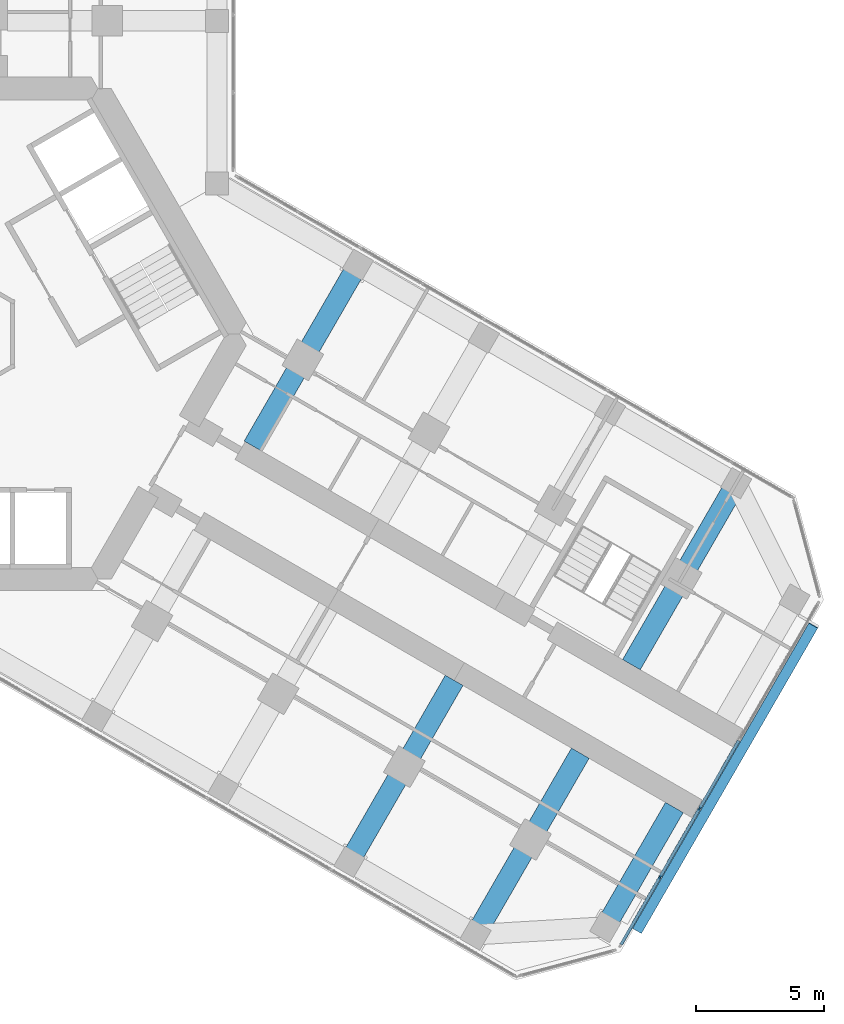
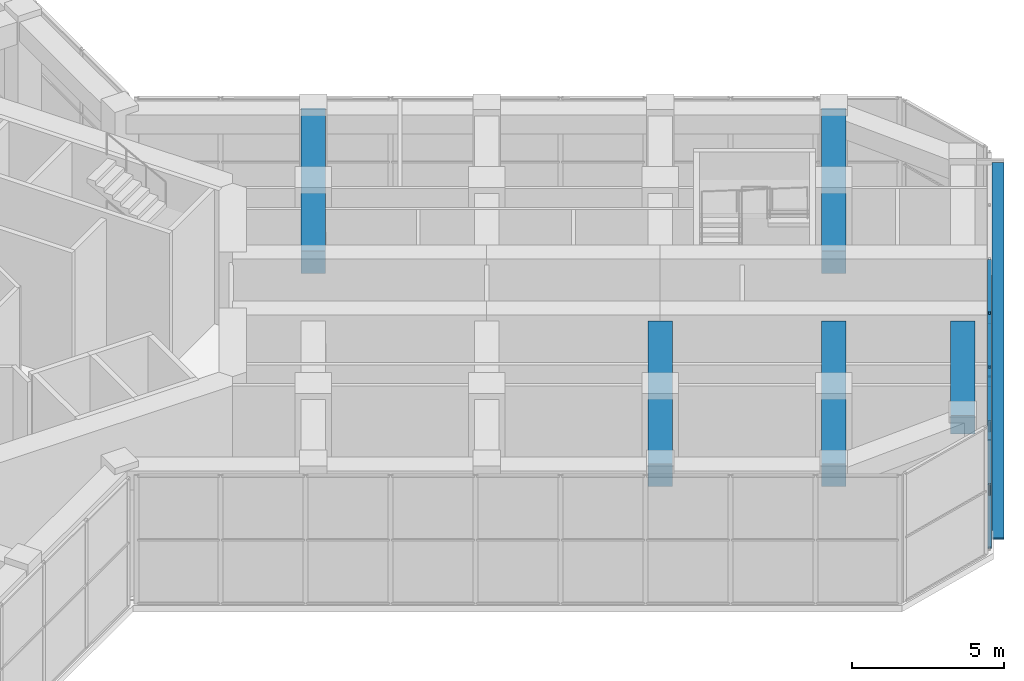
# One storey, part 6 of 20: 12 members, 5 beams, 1 element without a shape of its own.
"""IFC4 building model written with IfcOpenShell, lengths in metres."""

from ifc_helpers import new_model, si_unit, direction, frame, origin, origin_2d, place, context, subcontext, project, spatial, rectangle, extrude, material, material_profile, profile_set, type_object, element, aggregate, save


model = new_model("IFC4")

# Units and contexts
model_context = context("Model", 3, precision=1e-05, world=origin(), true_north=direction((0.0, 1.0)))
body_context = subcontext(model_context, "Body", "Model", "MODEL_VIEW")
ifc_project = project(units=[si_unit("LENGTHUNIT", "METRE"), si_unit("AREAUNIT", "SQUARE_METRE"), si_unit("VOLUMEUNIT", "CUBIC_METRE"), si_unit("PLANEANGLEUNIT", "RADIAN"), si_unit("MASSUNIT", "GRAM", prefix="KILO")], contexts=[model_context])

# Site, building, storey
site_placement = place(None, origin())
site = spatial("IfcSite", under=ifc_project, at=site_placement, CompositionType="ELEMENT")
building_placement = place(site_placement, origin())
building = spatial("IfcBuilding", under=site, at=building_placement, Name="Kosmar Iwan School Tower", CompositionType="ELEMENT")
storey_placement = place(building_placement, frame((0.0, 0.0, 152.60009765625)))
storey = spatial("IfcBuildingStorey", under=building, at=storey_placement, Name="L38", CompositionType="ELEMENT", Elevation=152.60009765625)

# Member
ifc_material_1 = material(Name="Black anodised aluminium", Category="aluminium")
ifc_material_profile_1 = material_profile(ifc_material_1, rectangle(XDim=0.10009765625, YDim=0.39990234375, at=origin_2d()), Name="FIN 100x400")
ifc_profile_set_1 = profile_set([ifc_material_profile_1], Name="Black anodised aluminium")
member_type_1 = type_object("IfcMemberType", Name="Diagonal fin 100x400", PredefinedType="USERDEFINED", material=ifc_profile_set_1)
member_1_placement = place(storey_placement, frame((26.645263671875, -23.34912109375, -0.150146484375), z_axis=(0.465597921651, 0.806454159817, 0.364486300797), x_axis=(-0.182240624432, -0.315655854175, 0.931208750244)))
element("IfcMember", 1, at=member_1_placement, inside=storey, type_object=member_type_1, Name="Diagonal fin L38-F03", ObjectType="FIN", PredefinedType="USERDEFINED", context=body_context, shape_type="SweptSolid", body=[
    extrude(rectangle(XDim=0.10009765625, YDim=0.39990234375, at=origin_2d()), origin(), (0.0, 0.0, 1.0), 14.815673828125),
])

# Curtain wall, members
ifc_material_2 = material(Name="Dark glass in black aluminium frame", Category="aluminium")
curtain_wall_type = type_object("IfcCurtainWallType", Name="Tower curtain wall dark glass", PredefinedType="USERDEFINED", material=ifc_material_2)
curtain_wall_placement = place(storey_placement, origin())
curtain_wall = element("IfcCurtainWall", 2, at=curtain_wall_placement, inside=storey, type_object=curtain_wall_type, Name="Curtain wall L38-F03", ObjectType="UNITISED CURTAIN WALL", PredefinedType="USERDEFINED")
ifc_material_3 = material(Name="Black anodised aluminium", Category="aluminium")
ifc_material_profile_2 = material_profile(ifc_material_3, rectangle(XDim=0.06005859375, YDim=0.159912109375, at=origin_2d()), Name="MULLION 60x160")
ifc_profile_set_2 = profile_set([ifc_material_profile_2], Name="Black anodised aluminium")
member_type_2 = type_object("IfcMemberType", Name="Mullion 60x160", PredefinedType="MULLION", material=ifc_profile_set_2)
member_2_placement = place(storey_placement, frame((27.53173828125, -21.263671875, 0.0), z_axis=(0.0, 0.0, 1.0), x_axis=(-0.866025405329, 0.499999997325, 0.0)))
member_2 = element("IfcMember", 3, at=member_2_placement, type_object=member_type_2, Name="CW1 mullion 2", PredefinedType="MULLION", context=body_context, shape_type="SweptSolid", body=[
    extrude(rectangle(XDim=0.06005859375, YDim=0.159912109375, at=origin_2d()), origin(), (0.0, 0.0, 1.0), 5.14990234375),
])
member_3_placement = place(storey_placement, frame((29.081298828125, -18.57958984375, 0.0), z_axis=(0.0, 0.0, 1.0), x_axis=(-0.866025405329, 0.499999997325, 0.0)))
member_3 = element("IfcMember", 4, at=member_3_placement, type_object=member_type_2, Name="CW1 mullion 3", PredefinedType="MULLION", context=body_context, shape_type="SweptSolid", body=[
    extrude(rectangle(XDim=0.06005859375, YDim=0.159912109375, at=origin_2d()), origin(), (0.0, 0.0, 1.0), 5.14990234375),
])

# Beams
ifc_material_4 = material(Name="Concrete C50/60", Category="concrete")
ifc_material_profile_3 = material_profile(ifc_material_4, rectangle(XDim=0.800048828125, YDim=0.75, at=origin_2d()), Name="RC 800x750")
ifc_profile_set_3 = profile_set([ifc_material_profile_3], Name="Concrete C50/60")
beam_type_1 = type_object("IfcBeamType", Name="RC tip beam 800x750", PredefinedType="BEAM", material=ifc_profile_set_3)
beam_placement = place(storey_placement, frame((25.3984375, -23.20849609375, 4.77490234375), z_axis=(0.499995103361, 0.866028230842, 0.0), x_axis=(-0.866028230842, 0.499995103361, 0.0)))
element("IfcBeam", 5, at=beam_placement, inside=storey, type_object=beam_type_1, Name="Tip beam CR to corridor wall", PredefinedType="BEAM", context=body_context, shape_type="SweptSolid", body=[
    extrude(rectangle(XDim=0.800048828125, YDim=0.75, at=origin_2d()), origin(), (0.0, 0.0, 1.0), 5.39990234375),
])
ifc_material_5 = material(Name="Concrete C50/60", Category="concrete")
ifc_material_profile_4 = material_profile(ifc_material_5, rectangle(XDim=0.800048828125, YDim=0.89990234375, at=origin_2d()), Name="RC 800x900")
ifc_profile_set_4 = profile_set([ifc_material_profile_4], Name="Concrete C50/60")
beam_type_2 = type_object("IfcBeamType", Name="RC transverse beam 800x900", PredefinedType="BEAM", material=ifc_profile_set_4)
for number, where, z_axis, x_axis, name in (
    (6, (15.708740234375, 2.70849609375, 4.699951171875), (-0.499978459874, -0.866037839625, 0.0), (0.866037839625, -0.499978459874, 0.0), "Transverse beam CL1"),
    (7, (30.517822265625, -5.841552734375, 4.699951171875), (-0.500013681986, -0.866017504342, 0.0), (0.866017504342, -0.500013681986, 0.0), "Transverse beam CL4"),
    (8, (15.381591796875, -20.658447265625, 4.699951171875), (0.49999135188, 0.866030396721, 0.0), (-0.866030396721, 0.49999135188, 0.0), "Transverse beam CR3"),
    (9, (20.31787109375, -23.508544921875, 4.699951171875), (0.499978459874, 0.866037839625, 0.0), (-0.866037839625, 0.499978459874, 0.0), "Transverse beam CR4"),
):
    element("IfcBeam", number, at=place(storey_placement, frame(where, z_axis=z_axis, x_axis=x_axis)), inside=storey, type_object=beam_type_2, Name=name, PredefinedType="BEAM", context=body_context, shape_type="SweptSolid", body=[
        extrude(rectangle(XDim=0.800048828125, YDim=0.89990234375, at=origin_2d()), origin(), (0.0, 0.0, 1.0), 8.199951171875),
    ])

# Member
ifc_material_6 = material(Name="Black anodised aluminium", Category="aluminium")
ifc_material_profile_5 = material_profile(ifc_material_6, rectangle(XDim=0.1201171875, YDim=0.06005859375, at=origin_2d()), Name="TRANSOM 60x120")
ifc_profile_set_5 = profile_set([ifc_material_profile_5], Name="Black anodised aluminium")
member_type_3 = type_object("IfcMemberType", Name="Transom 60x120", PredefinedType="USERDEFINED", material=ifc_profile_set_5)
member_4_placement = place(storey_placement, frame((26.01220703125, -23.895751953125, 0.02978515625), z_axis=(0.499986971506, 0.866032925658, 0.0), x_axis=(-0.866032925658, 0.499986971506, 0.0)))
member_4 = element("IfcMember", 10, at=member_4_placement, type_object=member_type_3, Name="CW1 transom 1.1", ObjectType="TRANSOM", PredefinedType="USERDEFINED", context=body_context, shape_type="SweptSolid", body=[
    extrude(rectangle(XDim=0.1201171875, YDim=0.06005859375, at=origin_2d()), origin(), (0.0, 0.0, 1.0), 3.00927734375),
])

member_5_placement = place(storey_placement, frame((26.01220703125, -23.895751953125, 2.574951171875), z_axis=(0.499986971506, 0.866032925658, 0.0), x_axis=(-0.866032925658, 0.499986971506, 0.0)))
member_5 = element("IfcMember", 11, at=member_5_placement, type_object=member_type_3, Name="CW1 transom 1.2", ObjectType="TRANSOM", PredefinedType="USERDEFINED", context=body_context, shape_type="SweptSolid", body=[
    extrude(rectangle(XDim=0.1201171875, YDim=0.06005859375, at=origin_2d()), origin(), (0.0, 0.0, 1.0), 3.00927734375),
])

member_6_placement = place(storey_placement, frame((26.01220703125, -23.895751953125, 5.119873046875), z_axis=(0.499986971506, 0.866032925658, 0.0), x_axis=(-0.866032925658, 0.499986971506, 0.0)))
member_6 = element("IfcMember", 12, at=member_6_placement, type_object=member_type_3, Name="CW1 transom 1.3", ObjectType="TRANSOM", PredefinedType="USERDEFINED", context=body_context, shape_type="SweptSolid", body=[
    extrude(rectangle(XDim=0.1201171875, YDim=0.06005859375, at=origin_2d()), origin(), (0.0, 0.0, 1.0), 3.00927734375),
])

member_7_placement = place(storey_placement, frame((27.546875, -21.237548828125, 0.02978515625), z_axis=(0.499975102327, 0.866039777986, 0.0), x_axis=(-0.866039777986, 0.499975102327, 0.0)))
member_7 = element("IfcMember", 13, at=member_7_placement, type_object=member_type_3, Name="CW1 transom 2.1", ObjectType="TRANSOM", PredefinedType="USERDEFINED", context=body_context, shape_type="SweptSolid", body=[
    extrude(rectangle(XDim=0.1201171875, YDim=0.06005859375, at=origin_2d()), origin(), (0.0, 0.0, 1.0), 3.039306640625),
])

member_8_placement = place(storey_placement, frame((27.546875, -21.237548828125, 2.574951171875), z_axis=(0.499975102327, 0.866039777986, 0.0), x_axis=(-0.866039777986, 0.499975102327, 0.0)))
member_8 = element("IfcMember", 14, at=member_8_placement, type_object=member_type_3, Name="CW1 transom 2.2", ObjectType="TRANSOM", PredefinedType="USERDEFINED", context=body_context, shape_type="SweptSolid", body=[
    extrude(rectangle(XDim=0.1201171875, YDim=0.06005859375, at=origin_2d()), origin(), (0.0, 0.0, 1.0), 3.039306640625),
])

member_9_placement = place(storey_placement, frame((27.546875, -21.237548828125, 5.119873046875), z_axis=(0.499975102327, 0.866039777986, 0.0), x_axis=(-0.866039777986, 0.499975102327, 0.0)))
member_9 = element("IfcMember", 15, at=member_9_placement, type_object=member_type_3, Name="CW1 transom 2.3", ObjectType="TRANSOM", PredefinedType="USERDEFINED", context=body_context, shape_type="SweptSolid", body=[
    extrude(rectangle(XDim=0.1201171875, YDim=0.06005859375, at=origin_2d()), origin(), (0.0, 0.0, 1.0), 3.039306640625),
])

member_10_placement = place(storey_placement, frame((29.096435546875, -18.553466796875, 0.02978515625), z_axis=(0.499975102327, 0.866039777986, 0.0), x_axis=(-0.866039777986, 0.499975102327, 0.0)))
member_10 = element("IfcMember", 16, at=member_10_placement, type_object=member_type_3, Name="CW1 transom 3.1", ObjectType="TRANSOM", PredefinedType="USERDEFINED", context=body_context, shape_type="SweptSolid", body=[
    extrude(rectangle(XDim=0.1201171875, YDim=0.06005859375, at=origin_2d()), origin(), (0.0, 0.0, 1.0), 3.039306640625),
])

member_11_placement = place(storey_placement, frame((29.096435546875, -18.553466796875, 2.574951171875), z_axis=(0.499975102327, 0.866039777986, 0.0), x_axis=(-0.866039777986, 0.499975102327, 0.0)))
member_11 = element("IfcMember", 17, at=member_11_placement, type_object=member_type_3, Name="CW1 transom 3.2", ObjectType="TRANSOM", PredefinedType="USERDEFINED", context=body_context, shape_type="SweptSolid", body=[
    extrude(rectangle(XDim=0.1201171875, YDim=0.06005859375, at=origin_2d()), origin(), (0.0, 0.0, 1.0), 3.039306640625),
])

member_12_placement = place(storey_placement, frame((29.096435546875, -18.553466796875, 5.119873046875), z_axis=(0.499975102327, 0.866039777986, 0.0), x_axis=(-0.866039777986, 0.499975102327, 0.0)))
member_12 = element("IfcMember", 18, at=member_12_placement, type_object=member_type_3, Name="CW1 transom 3.3", ObjectType="TRANSOM", PredefinedType="USERDEFINED", context=body_context, shape_type="SweptSolid", body=[
    extrude(rectangle(XDim=0.1201171875, YDim=0.06005859375, at=origin_2d()), origin(), (0.0, 0.0, 1.0), 3.039306640625),
])

aggregate(curtain_wall, [member_2, member_3, member_4, member_5, member_6, member_7, member_8, member_9, member_10, member_11, member_12])

save(model, "model.ifc")
